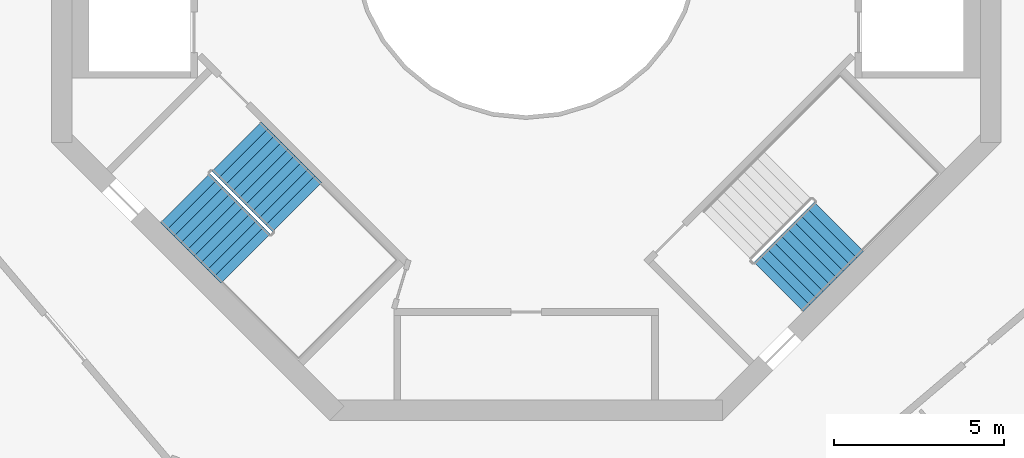
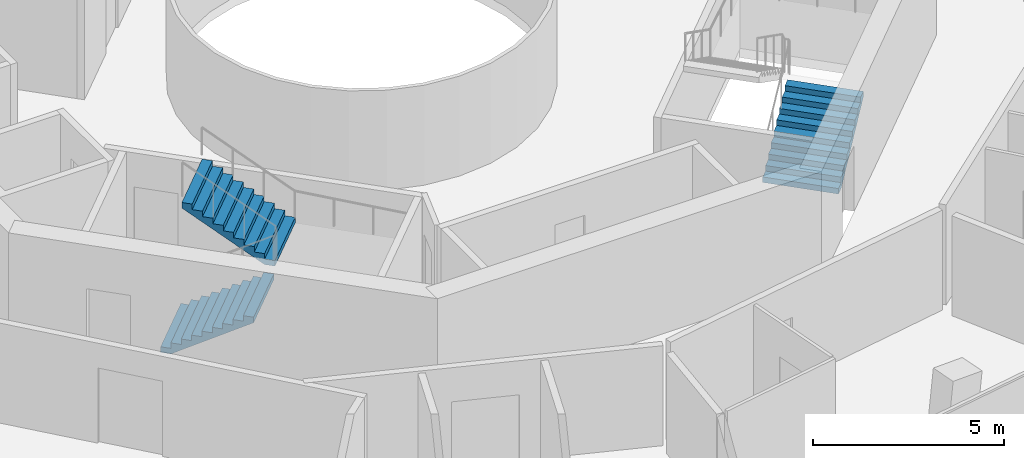
# One storey, part 19 of 21: 3 stair flights, 2 elements without a shape of their own.
"""IFC4 building model written with IfcOpenShell, lengths in metres."""

from ifc_helpers import new_model, si_unit, direction, frame, origin, place, context, subcontext, project, spatial, triangles, material, type_object, element, aggregate, save


model = new_model("IFC4")

# Units and contexts
model_context = context("Model", 3, precision=1e-05, world=origin(), true_north=direction((0.0, 1.0)))
body_context = subcontext(model_context, "Body", "Model", "MODEL_VIEW")
ifc_project = project(units=[si_unit("LENGTHUNIT", "METRE"), si_unit("AREAUNIT", "SQUARE_METRE"), si_unit("VOLUMEUNIT", "CUBIC_METRE"), si_unit("PLANEANGLEUNIT", "RADIAN"), si_unit("MASSUNIT", "GRAM", prefix="KILO")], contexts=[model_context])

# Site, building, storey
site_placement = place(None, origin())
site = spatial("IfcSite", under=ifc_project, at=site_placement, CompositionType="ELEMENT")
building_placement = place(site_placement, origin())
building = spatial("IfcBuilding", under=site, at=building_placement, Name="Verdalira Terraces Hotel", CompositionType="ELEMENT")
storey_placement = place(building_placement, frame((0.0, 0.0, 197.5)))
storey = spatial("IfcBuildingStorey", under=building, at=storey_placement, Name="L48", CompositionType="ELEMENT", Elevation=197.5)

# Stair, stair flights
ifc_material_1 = material(Name="Concrete C40", Category="concrete")
stair_type = type_object("IfcStairType", Name="Core stair 20 risers 2050 mm wide", PredefinedType="HALF_TURN_STAIR", material=ifc_material_1)
stair_1_placement = place(storey_placement, origin())
stair_1 = element("IfcStair", 1, at=stair_1_placement, inside=storey, type_object=stair_type, Name="L48 Exit stair ST2", PredefinedType="HALF_TURN_STAIR")
ifc_material_2 = material(Name="Concrete C40", Category="concrete")
stair_flight_type = type_object("IfcStairFlightType", Name="Core stair flight 20 risers 2050 mm wide", PredefinedType="STRAIGHT", material=ifc_material_2)
stair_flight_1_placement = place(storey_placement, frame((-10.058594, -7.442383, 0.0), z_axis=(0.0, 0.0, 1.0), x_axis=(0.707106781, -0.707106781, 0.0)))
stair_flight_1 = element("IfcStairFlight", 2, at=stair_flight_1_placement, type_object=stair_flight_type, Name="ST2 flight 1", NumberOfRisers=10, NumberOfTreads=9, PredefinedType="STRAIGHT", RiserHeight=0.175, TreadLength=0.28, context=body_context, shape_type="Tessellation", body=[
    triangles([(0.0, 1.025024, 0.0), (0.282715, 1.025024, 0.0), (2.52002, 1.025024, 1.398193), (0.0, -1.025024, 0.0), (0.282715, -1.025024, 0.0), (2.52002, -1.025024, 1.398193), (2.52002, 1.025024, 1.574951), (2.23999, 1.025024, 1.574951), (2.52002, -1.025024, 1.574951), (2.23999, -1.025024, 1.574951), (2.23999, 1.025024, 1.399902), (2.23999, -1.025024, 1.399902), (1.959961, 1.025024, 1.399902), (1.959961, -1.025024, 1.399902), (1.959961, 1.025024, 1.225098), (1.959961, -1.025024, 1.225098), (1.679932, 1.025024, 1.225098), (1.679932, 1.025024, 1.050049), (1.679932, -1.025024, 1.225098), (1.679932, -1.025024, 1.050049), (1.399902, 1.025024, 1.050049), (1.399902, 1.025024, 0.875), (1.399902, -1.025024, 1.050049), (1.399902, -1.025024, 0.875), (1.120117, 1.025024, 0.875), (1.120117, 1.025024, 0.699951), (1.120117, -1.025024, 0.875), (1.120117, -1.025024, 0.699951), (0.840088, 1.025024, 0.699951), (0.840088, 1.025024, 0.524902), (0.840088, -1.025024, 0.699951), (0.840088, -1.025024, 0.524902), (0.560059, 1.025024, 0.524902), (0.560059, 1.025024, 0.350098), (0.560059, -1.025024, 0.524902), (0.560059, -1.025024, 0.350098), (0.280029, 1.025024, 0.350098), (0.280029, 1.025024, 0.175049), (0.280029, -1.025024, 0.350098), (0.280029, -1.025024, 0.175049), (0.0, 1.025024, 0.175049), (0.0, -1.025024, 0.175049), (0.0, -0.96096, 0.0), (0.0, -0.96096, 0.175049), (0.0, -0.896896, 0.0), (0.0, -0.896896, 0.175049), (0.0, -0.832832, 0.0), (0.0, -0.832832, 0.175049), (0.0, -0.768768, 0.0), (0.0, -0.768768, 0.175049), (0.0, -0.704704, 0.0), (0.0, -0.704704, 0.175049), (0.0, -0.64064, 0.0), (0.0, -0.64064, 0.175049), (0.0, -0.576576, 0.0), (0.0, -0.576576, 0.175049), (0.0, -0.512512, 0.0), (0.0, -0.512512, 0.175049), (0.0, -0.448448, 0.0), (0.0, -0.448448, 0.175049), (0.0, -0.384384, 0.0), (0.0, -0.384384, 0.175049), (0.0, -0.32032, 0.0), (0.0, -0.32032, 0.175049), (0.0, -0.256256, 0.0), (0.0, -0.256256, 0.175049), (0.0, -0.192192, 0.0), (0.0, -0.192192, 0.175049), (0.0, -0.128128, 0.0), (0.0, -0.128128, 0.175049), (0.0, -0.064064, 0.0), (0.0, -0.064064, 0.175049), (0.0, 0.0, 0.0), (0.0, 0.0, 0.175049), (0.0, 0.064064, 0.0), (0.0, 0.064064, 0.175049), (0.0, 0.128128, 0.0), (0.0, 0.128128, 0.175049), (0.0, 0.192192, 0.0), (0.0, 0.192192, 0.175049), (0.0, 0.256256, 0.0), (0.0, 0.256256, 0.175049), (0.0, 0.32032, 0.0), (0.0, 0.32032, 0.175049), (0.0, 0.384384, 0.0), (0.0, 0.384384, 0.175049), (0.0, 0.448448, 0.0), (0.0, 0.448448, 0.175049), (0.0, 0.512512, 0.0), (0.0, 0.512512, 0.175049), (0.0, 0.576576, 0.0), (0.0, 0.576576, 0.175049), (0.0, 0.64064, 0.0), (0.0, 0.64064, 0.175049), (0.0, 0.704704, 0.0), (0.0, 0.704704, 0.175049), (0.0, 0.768768, 0.0), (0.0, 0.768768, 0.175049), (0.0, 0.832832, 0.0), (0.0, 0.832832, 0.175049), (0.0, 0.896896, 0.0), (0.0, 0.896896, 0.175049), (0.0, 0.96096, 0.0), (0.0, 0.96096, 0.175049), (2.52002, -0.96096, 1.574951), (2.52002, -0.896896, 1.574951), (2.52002, -0.832832, 1.574951), (2.52002, -0.768768, 1.574951), (2.52002, -0.704704, 1.574951), (2.52002, -0.64064, 1.574951), (2.52002, -0.576576, 1.574951), (2.52002, -0.512512, 1.574951), (2.52002, -0.448448, 1.574951), (2.52002, -0.384384, 1.574951), (2.52002, -0.32032, 1.574951), (2.52002, -0.256256, 1.574951), (2.52002, -0.192192, 1.574951), (2.52002, -0.128128, 1.574951), (2.52002, -0.064064, 1.574951), (2.52002, 0.0, 1.574951), (2.52002, 0.064064, 1.574951), (2.52002, 0.128128, 1.574951), (2.52002, 0.192192, 1.574951), (2.52002, 0.256256, 1.574951), (2.52002, 0.32032, 1.574951), (2.52002, 0.384384, 1.574951), (2.52002, 0.448448, 1.574951), (2.52002, 0.512512, 1.574951), (2.52002, 0.576576, 1.574951), (2.52002, 0.64064, 1.574951), (2.52002, 0.704704, 1.574951), (2.52002, 0.768768, 1.574951), (2.52002, 0.832832, 1.574951), (2.52002, 0.896896, 1.574951), (2.52002, 0.96096, 1.574951), (2.52002, -0.96096, 1.398193), (2.52002, -0.896896, 1.398193), (2.52002, -0.832832, 1.398193), (2.52002, -0.768768, 1.398193), (2.52002, -0.704704, 1.398193), (2.52002, -0.64064, 1.398193), (2.52002, -0.576576, 1.398193), (2.52002, -0.512512, 1.398193), (2.52002, -0.448448, 1.398193), (2.52002, -0.384384, 1.398193), (2.52002, -0.32032, 1.398193), (2.52002, -0.256256, 1.398193), (2.52002, -0.192192, 1.398193), (2.52002, -0.128128, 1.398193), (2.52002, -0.064064, 1.398193), (2.52002, 0.0, 1.398193), (2.52002, 0.064064, 1.398193), (2.52002, 0.128128, 1.398193), (2.52002, 0.192192, 1.398193), (2.52002, 0.256256, 1.398193), (2.52002, 0.32032, 1.398193), (2.52002, 0.384384, 1.398193), (2.52002, 0.448448, 1.398193), (2.52002, 0.512512, 1.398193), (2.52002, 0.576576, 1.398193), (2.52002, 0.64064, 1.398193), (2.52002, 0.704704, 1.398193), (2.52002, 0.768768, 1.398193), (2.52002, 0.832832, 1.398193), (2.52002, 0.896896, 1.398193), (2.52002, 0.96096, 1.398193)], [[1, 3, 2], [4, 5, 6], [3, 8, 7], [6, 9, 10], [3, 11, 8], [6, 10, 12], [3, 13, 11], [6, 12, 14], [3, 15, 13], [6, 14, 16], [15, 18, 17], [16, 19, 20], [3, 18, 15], [6, 16, 20], [18, 22, 21], [20, 23, 24], [3, 22, 18], [6, 20, 24], [22, 26, 25], [24, 27, 28], [3, 26, 22], [6, 24, 28], [26, 30, 29], [28, 31, 32], [3, 30, 26], [6, 28, 32], [1, 30, 3], [4, 6, 32], [30, 34, 33], [32, 35, 36], [34, 38, 37], [36, 39, 40], [30, 38, 34], [32, 36, 40], [1, 38, 30], [4, 32, 40], [38, 1, 41], [40, 42, 4], [4, 44, 43], [4, 42, 44], [43, 46, 45], [43, 44, 46], [45, 48, 47], [45, 46, 48], [47, 50, 49], [47, 48, 50], [49, 52, 51], [49, 50, 52], [51, 54, 53], [51, 52, 54], [53, 56, 55], [53, 54, 56], [55, 58, 57], [55, 56, 58], [57, 60, 59], [57, 58, 60], [59, 62, 61], [59, 60, 62], [61, 64, 63], [61, 62, 64], [63, 66, 65], [63, 64, 66], [65, 68, 67], [65, 66, 68], [67, 70, 69], [67, 68, 70], [69, 72, 71], [69, 70, 72], [71, 74, 73], [71, 72, 74], [73, 76, 75], [73, 74, 76], [75, 78, 77], [75, 76, 78], [77, 80, 79], [77, 78, 80], [79, 82, 81], [79, 80, 82], [81, 84, 83], [81, 82, 84], [83, 86, 85], [83, 84, 86], [85, 88, 87], [85, 86, 88], [87, 90, 89], [87, 88, 90], [89, 92, 91], [89, 90, 92], [91, 94, 93], [91, 92, 94], [93, 96, 95], [93, 94, 96], [95, 98, 97], [95, 96, 98], [97, 100, 99], [97, 98, 100], [99, 102, 101], [99, 100, 102], [101, 104, 103], [101, 102, 104], [103, 41, 1], [103, 104, 41], [42, 40, 44], [44, 40, 46], [46, 40, 48], [48, 40, 50], [50, 40, 52], [52, 40, 54], [54, 40, 56], [56, 40, 58], [58, 40, 60], [60, 40, 62], [62, 40, 64], [64, 40, 66], [66, 40, 68], [68, 40, 70], [70, 40, 72], [72, 40, 74], [74, 40, 76], [76, 40, 78], [78, 40, 80], [80, 40, 82], [82, 40, 84], [84, 40, 86], [86, 40, 88], [88, 40, 90], [90, 40, 92], [92, 40, 94], [94, 40, 96], [96, 40, 98], [98, 40, 100], [100, 40, 102], [102, 40, 104], [104, 40, 41], [41, 40, 38], [40, 37, 38], [40, 39, 37], [39, 34, 37], [39, 36, 34], [36, 33, 34], [36, 35, 33], [35, 30, 33], [35, 32, 30], [32, 29, 30], [32, 31, 29], [31, 26, 29], [31, 28, 26], [28, 25, 26], [28, 27, 25], [27, 22, 25], [27, 24, 22], [24, 21, 22], [24, 23, 21], [23, 18, 21], [23, 20, 18], [20, 17, 18], [20, 19, 17], [19, 15, 17], [19, 16, 15], [16, 13, 15], [16, 14, 13], [14, 11, 13], [14, 12, 11], [12, 8, 11], [12, 10, 8], [9, 105, 10], [105, 106, 10], [106, 107, 10], [107, 108, 10], [108, 109, 10], [109, 110, 10], [110, 111, 10], [111, 112, 10], [112, 113, 10], [113, 114, 10], [114, 115, 10], [115, 116, 10], [116, 117, 10], [117, 118, 10], [118, 119, 10], [119, 120, 10], [120, 121, 10], [121, 122, 10], [122, 123, 10], [123, 124, 10], [124, 125, 10], [125, 126, 10], [126, 127, 10], [127, 128, 10], [128, 129, 10], [129, 130, 10], [130, 131, 10], [131, 132, 10], [132, 133, 10], [133, 134, 10], [134, 135, 10], [135, 7, 10], [7, 8, 10], [9, 136, 105], [9, 6, 136], [105, 137, 106], [105, 136, 137], [106, 138, 107], [106, 137, 138], [107, 139, 108], [107, 138, 139], [108, 140, 109], [108, 139, 140], [109, 141, 110], [109, 140, 141], [110, 142, 111], [110, 141, 142], [111, 143, 112], [111, 142, 143], [112, 144, 113], [112, 143, 144], [113, 145, 114], [113, 144, 145], [114, 146, 115], [114, 145, 146], [115, 147, 116], [115, 146, 147], [116, 148, 117], [116, 147, 148], [117, 149, 118], [117, 148, 149], [118, 150, 119], [118, 149, 150], [119, 151, 120], [119, 150, 151], [120, 152, 121], [120, 151, 152], [121, 153, 122], [121, 152, 153], [122, 154, 123], [122, 153, 154], [123, 155, 124], [123, 154, 155], [124, 156, 125], [124, 155, 156], [125, 157, 126], [125, 156, 157], [126, 158, 127], [126, 157, 158], [127, 159, 128], [127, 158, 159], [128, 160, 129], [128, 159, 160], [129, 161, 130], [129, 160, 161], [130, 162, 131], [130, 161, 162], [131, 163, 132], [131, 162, 163], [132, 164, 133], [132, 163, 164], [133, 165, 134], [133, 164, 165], [134, 166, 135], [134, 165, 166], [135, 3, 7], [135, 166, 3], [6, 5, 136], [136, 5, 137], [137, 5, 138], [138, 5, 139], [139, 5, 140], [140, 5, 141], [141, 5, 142], [142, 5, 143], [143, 5, 144], [144, 5, 145], [145, 5, 146], [146, 5, 147], [147, 5, 148], [148, 5, 149], [149, 5, 150], [150, 5, 151], [151, 5, 152], [152, 5, 153], [153, 5, 154], [154, 5, 155], [155, 5, 156], [156, 5, 157], [157, 5, 158], [158, 5, 159], [159, 5, 160], [160, 5, 161], [161, 5, 162], [162, 5, 163], [163, 5, 164], [164, 5, 165], [165, 5, 166], [166, 5, 3], [3, 5, 2], [4, 43, 5], [43, 45, 5], [45, 47, 5], [47, 49, 5], [49, 51, 5], [51, 53, 5], [53, 55, 5], [55, 57, 5], [57, 59, 5], [59, 61, 5], [61, 63, 5], [63, 65, 5], [65, 67, 5], [67, 69, 5], [69, 71, 5], [71, 73, 5], [73, 75, 5], [75, 77, 5], [77, 79, 5], [79, 81, 5], [81, 83, 5], [83, 85, 5], [85, 87, 5], [87, 89, 5], [89, 91, 5], [91, 93, 5], [93, 95, 5], [95, 97, 5], [97, 99, 5], [99, 101, 5], [101, 103, 5], [103, 1, 5], [1, 2, 5]], closed=True),
])
stair_flight_2_placement = place(storey_placement, frame((-6.756348, -7.703857, 1.75), z_axis=(0.0, 0.0, 1.0), x_axis=(-0.707106781, 0.707106781, 0.0)))
stair_flight_2 = element("IfcStairFlight", 3, at=stair_flight_2_placement, type_object=stair_flight_type, Name="ST2 flight 2", NumberOfRisers=10, NumberOfTreads=9, PredefinedType="STRAIGHT", RiserHeight=0.175, TreadLength=0.28, context=body_context, shape_type="Tessellation", body=[
    triangles([(0.0, 1.025024, 0.0), (0.282715, 1.025024, 0.0), (2.52002, 1.025024, 1.398193), (0.0, -1.025024, 0.0), (0.282715, -1.025024, 0.0), (2.52002, -1.025024, 1.398193), (2.52002, 1.025024, 1.574951), (2.23999, 1.025024, 1.574951), (2.52002, -1.025024, 1.574951), (2.23999, -1.025024, 1.574951), (2.23999, 1.025024, 1.399902), (2.23999, -1.025024, 1.399902), (1.959961, 1.025024, 1.399902), (1.959961, -1.025024, 1.399902), (1.959961, 1.025024, 1.225098), (1.959961, -1.025024, 1.225098), (1.679932, 1.025024, 1.225098), (1.679932, 1.025024, 1.050049), (1.679932, -1.025024, 1.225098), (1.679932, -1.025024, 1.050049), (1.399902, 1.025024, 1.050049), (1.399902, 1.025024, 0.875), (1.399902, -1.025024, 1.050049), (1.399902, -1.025024, 0.875), (1.120117, 1.025024, 0.875), (1.120117, 1.025024, 0.699951), (1.120117, -1.025024, 0.875), (1.120117, -1.025024, 0.699951), (0.840088, 1.025024, 0.699951), (0.840088, 1.025024, 0.524902), (0.840088, -1.025024, 0.699951), (0.840088, -1.025024, 0.524902), (0.560059, 1.025024, 0.524902), (0.560059, 1.025024, 0.350098), (0.560059, -1.025024, 0.524902), (0.560059, -1.025024, 0.350098), (0.280029, 1.025024, 0.350098), (0.280029, 1.025024, 0.175049), (0.280029, -1.025024, 0.350098), (0.280029, -1.025024, 0.175049), (0.0, 1.025024, 0.175049), (0.0, -1.025024, 0.175049), (0.0, -0.96096, 0.0), (0.0, -0.96096, 0.175049), (0.0, -0.896896, 0.0), (0.0, -0.896896, 0.175049), (0.0, -0.832832, 0.0), (0.0, -0.832832, 0.175049), (0.0, -0.768768, 0.0), (0.0, -0.768768, 0.175049), (0.0, -0.704704, 0.0), (0.0, -0.704704, 0.175049), (0.0, -0.64064, 0.0), (0.0, -0.64064, 0.175049), (0.0, -0.576576, 0.0), (0.0, -0.576576, 0.175049), (0.0, -0.512512, 0.0), (0.0, -0.512512, 0.175049), (0.0, -0.448448, 0.0), (0.0, -0.448448, 0.175049), (0.0, -0.384384, 0.0), (0.0, -0.384384, 0.175049), (0.0, -0.32032, 0.0), (0.0, -0.32032, 0.175049), (0.0, -0.256256, 0.0), (0.0, -0.256256, 0.175049), (0.0, -0.192192, 0.0), (0.0, -0.192192, 0.175049), (0.0, -0.128128, 0.0), (0.0, -0.128128, 0.175049), (0.0, -0.064064, 0.0), (0.0, -0.064064, 0.175049), (0.0, 0.0, 0.0), (0.0, 0.0, 0.175049), (0.0, 0.064064, 0.0), (0.0, 0.064064, 0.175049), (0.0, 0.128128, 0.0), (0.0, 0.128128, 0.175049), (0.0, 0.192192, 0.0), (0.0, 0.192192, 0.175049), (0.0, 0.256256, 0.0), (0.0, 0.256256, 0.175049), (0.0, 0.32032, 0.0), (0.0, 0.32032, 0.175049), (0.0, 0.384384, 0.0), (0.0, 0.384384, 0.175049), (0.0, 0.448448, 0.0), (0.0, 0.448448, 0.175049), (0.0, 0.512512, 0.0), (0.0, 0.512512, 0.175049), (0.0, 0.576576, 0.0), (0.0, 0.576576, 0.175049), (0.0, 0.64064, 0.0), (0.0, 0.64064, 0.175049), (0.0, 0.704704, 0.0), (0.0, 0.704704, 0.175049), (0.0, 0.768768, 0.0), (0.0, 0.768768, 0.175049), (0.0, 0.832832, 0.0), (0.0, 0.832832, 0.175049), (0.0, 0.896896, 0.0), (0.0, 0.896896, 0.175049), (0.0, 0.96096, 0.0), (0.0, 0.96096, 0.175049), (2.52002, -0.96096, 1.574951), (2.52002, -0.896896, 1.574951), (2.52002, -0.832832, 1.574951), (2.52002, -0.768768, 1.574951), (2.52002, -0.704704, 1.574951), (2.52002, -0.64064, 1.574951), (2.52002, -0.576576, 1.574951), (2.52002, -0.512512, 1.574951), (2.52002, -0.448448, 1.574951), (2.52002, -0.384384, 1.574951), (2.52002, -0.32032, 1.574951), (2.52002, -0.256256, 1.574951), (2.52002, -0.192192, 1.574951), (2.52002, -0.128128, 1.574951), (2.52002, -0.064064, 1.574951), (2.52002, 0.0, 1.574951), (2.52002, 0.064064, 1.574951), (2.52002, 0.128128, 1.574951), (2.52002, 0.192192, 1.574951), (2.52002, 0.256256, 1.574951), (2.52002, 0.32032, 1.574951), (2.52002, 0.384384, 1.574951), (2.52002, 0.448448, 1.574951), (2.52002, 0.512512, 1.574951), (2.52002, 0.576576, 1.574951), (2.52002, 0.64064, 1.574951), (2.52002, 0.704704, 1.574951), (2.52002, 0.768768, 1.574951), (2.52002, 0.832832, 1.574951), (2.52002, 0.896896, 1.574951), (2.52002, 0.96096, 1.574951), (2.52002, -0.96096, 1.398193), (2.52002, -0.896896, 1.398193), (2.52002, -0.832832, 1.398193), (2.52002, -0.768768, 1.398193), (2.52002, -0.704704, 1.398193), (2.52002, -0.64064, 1.398193), (2.52002, -0.576576, 1.398193), (2.52002, -0.512512, 1.398193), (2.52002, -0.448448, 1.398193), (2.52002, -0.384384, 1.398193), (2.52002, -0.32032, 1.398193), (2.52002, -0.256256, 1.398193), (2.52002, -0.192192, 1.398193), (2.52002, -0.128128, 1.398193), (2.52002, -0.064064, 1.398193), (2.52002, 0.0, 1.398193), (2.52002, 0.064064, 1.398193), (2.52002, 0.128128, 1.398193), (2.52002, 0.192192, 1.398193), (2.52002, 0.256256, 1.398193), (2.52002, 0.32032, 1.398193), (2.52002, 0.384384, 1.398193), (2.52002, 0.448448, 1.398193), (2.52002, 0.512512, 1.398193), (2.52002, 0.576576, 1.398193), (2.52002, 0.64064, 1.398193), (2.52002, 0.704704, 1.398193), (2.52002, 0.768768, 1.398193), (2.52002, 0.832832, 1.398193), (2.52002, 0.896896, 1.398193), (2.52002, 0.96096, 1.398193)], [[1, 3, 2], [4, 5, 6], [3, 8, 7], [6, 9, 10], [3, 11, 8], [6, 10, 12], [3, 13, 11], [6, 12, 14], [3, 15, 13], [6, 14, 16], [15, 18, 17], [16, 19, 20], [3, 18, 15], [6, 16, 20], [18, 22, 21], [20, 23, 24], [3, 22, 18], [6, 20, 24], [22, 26, 25], [24, 27, 28], [3, 26, 22], [6, 24, 28], [26, 30, 29], [28, 31, 32], [3, 30, 26], [6, 28, 32], [1, 30, 3], [4, 6, 32], [30, 34, 33], [32, 35, 36], [34, 38, 37], [36, 39, 40], [30, 38, 34], [32, 36, 40], [1, 38, 30], [4, 32, 40], [38, 1, 41], [40, 42, 4], [4, 44, 43], [4, 42, 44], [43, 46, 45], [43, 44, 46], [45, 48, 47], [45, 46, 48], [47, 50, 49], [47, 48, 50], [49, 52, 51], [49, 50, 52], [51, 54, 53], [51, 52, 54], [53, 56, 55], [53, 54, 56], [55, 58, 57], [55, 56, 58], [57, 60, 59], [57, 58, 60], [59, 62, 61], [59, 60, 62], [61, 64, 63], [61, 62, 64], [63, 66, 65], [63, 64, 66], [65, 68, 67], [65, 66, 68], [67, 70, 69], [67, 68, 70], [69, 72, 71], [69, 70, 72], [71, 74, 73], [71, 72, 74], [73, 76, 75], [73, 74, 76], [75, 78, 77], [75, 76, 78], [77, 80, 79], [77, 78, 80], [79, 82, 81], [79, 80, 82], [81, 84, 83], [81, 82, 84], [83, 86, 85], [83, 84, 86], [85, 88, 87], [85, 86, 88], [87, 90, 89], [87, 88, 90], [89, 92, 91], [89, 90, 92], [91, 94, 93], [91, 92, 94], [93, 96, 95], [93, 94, 96], [95, 98, 97], [95, 96, 98], [97, 100, 99], [97, 98, 100], [99, 102, 101], [99, 100, 102], [101, 104, 103], [101, 102, 104], [103, 41, 1], [103, 104, 41], [42, 40, 44], [44, 40, 46], [46, 40, 48], [48, 40, 50], [50, 40, 52], [52, 40, 54], [54, 40, 56], [56, 40, 58], [58, 40, 60], [60, 40, 62], [62, 40, 64], [64, 40, 66], [66, 40, 68], [68, 40, 70], [70, 40, 72], [72, 40, 74], [74, 40, 76], [76, 40, 78], [78, 40, 80], [80, 40, 82], [82, 40, 84], [84, 40, 86], [86, 40, 88], [88, 40, 90], [90, 40, 92], [92, 40, 94], [94, 40, 96], [96, 40, 98], [98, 40, 100], [100, 40, 102], [102, 40, 104], [104, 40, 41], [41, 40, 38], [40, 37, 38], [40, 39, 37], [39, 34, 37], [39, 36, 34], [36, 33, 34], [36, 35, 33], [35, 30, 33], [35, 32, 30], [32, 29, 30], [32, 31, 29], [31, 26, 29], [31, 28, 26], [28, 25, 26], [28, 27, 25], [27, 22, 25], [27, 24, 22], [24, 21, 22], [24, 23, 21], [23, 18, 21], [23, 20, 18], [20, 17, 18], [20, 19, 17], [19, 15, 17], [19, 16, 15], [16, 13, 15], [16, 14, 13], [14, 11, 13], [14, 12, 11], [12, 8, 11], [12, 10, 8], [9, 105, 10], [105, 106, 10], [106, 107, 10], [107, 108, 10], [108, 109, 10], [109, 110, 10], [110, 111, 10], [111, 112, 10], [112, 113, 10], [113, 114, 10], [114, 115, 10], [115, 116, 10], [116, 117, 10], [117, 118, 10], [118, 119, 10], [119, 120, 10], [120, 121, 10], [121, 122, 10], [122, 123, 10], [123, 124, 10], [124, 125, 10], [125, 126, 10], [126, 127, 10], [127, 128, 10], [128, 129, 10], [129, 130, 10], [130, 131, 10], [131, 132, 10], [132, 133, 10], [133, 134, 10], [134, 135, 10], [135, 7, 10], [7, 8, 10], [9, 136, 105], [9, 6, 136], [105, 137, 106], [105, 136, 137], [106, 138, 107], [106, 137, 138], [107, 139, 108], [107, 138, 139], [108, 140, 109], [108, 139, 140], [109, 141, 110], [109, 140, 141], [110, 142, 111], [110, 141, 142], [111, 143, 112], [111, 142, 143], [112, 144, 113], [112, 143, 144], [113, 145, 114], [113, 144, 145], [114, 146, 115], [114, 145, 146], [115, 147, 116], [115, 146, 147], [116, 148, 117], [116, 147, 148], [117, 149, 118], [117, 148, 149], [118, 150, 119], [118, 149, 150], [119, 151, 120], [119, 150, 151], [120, 152, 121], [120, 151, 152], [121, 153, 122], [121, 152, 153], [122, 154, 123], [122, 153, 154], [123, 155, 124], [123, 154, 155], [124, 156, 125], [124, 155, 156], [125, 157, 126], [125, 156, 157], [126, 158, 127], [126, 157, 158], [127, 159, 128], [127, 158, 159], [128, 160, 129], [128, 159, 160], [129, 161, 130], [129, 160, 161], [130, 162, 131], [130, 161, 162], [131, 163, 132], [131, 162, 163], [132, 164, 133], [132, 163, 164], [133, 165, 134], [133, 164, 165], [134, 166, 135], [134, 165, 166], [135, 3, 7], [135, 166, 3], [6, 5, 136], [136, 5, 137], [137, 5, 138], [138, 5, 139], [139, 5, 140], [140, 5, 141], [141, 5, 142], [142, 5, 143], [143, 5, 144], [144, 5, 145], [145, 5, 146], [146, 5, 147], [147, 5, 148], [148, 5, 149], [149, 5, 150], [150, 5, 151], [151, 5, 152], [152, 5, 153], [153, 5, 154], [154, 5, 155], [155, 5, 156], [156, 5, 157], [157, 5, 158], [158, 5, 159], [159, 5, 160], [160, 5, 161], [161, 5, 162], [162, 5, 163], [163, 5, 164], [164, 5, 165], [165, 5, 166], [166, 5, 3], [3, 5, 2], [4, 43, 5], [43, 45, 5], [45, 47, 5], [47, 49, 5], [49, 51, 5], [51, 53, 5], [53, 55, 5], [55, 57, 5], [57, 59, 5], [59, 61, 5], [61, 63, 5], [63, 65, 5], [65, 67, 5], [67, 69, 5], [69, 71, 5], [71, 73, 5], [73, 75, 5], [75, 77, 5], [77, 79, 5], [79, 81, 5], [81, 83, 5], [83, 85, 5], [85, 87, 5], [87, 89, 5], [89, 91, 5], [91, 93, 5], [93, 95, 5], [95, 97, 5], [97, 99, 5], [99, 101, 5], [101, 103, 5], [103, 1, 5], [1, 2, 5]], closed=True),
])
aggregate(stair_1, [stair_flight_1, stair_flight_2])

# Stair, stair flight
stair_2_placement = place(storey_placement, origin())
stair_2 = element("IfcStair", 4, at=stair_2_placement, inside=storey, type_object=stair_type, Name="L48 Exit stair ST3", PredefinedType="HALF_TURN_STAIR")
stair_flight_3_placement = place(storey_placement, frame((7.442383, -10.058594, 0.0), z_axis=(0.0, 0.0, 1.0), x_axis=(0.707106781, 0.707106781, 0.0)))
stair_flight_3 = element("IfcStairFlight", 5, at=stair_flight_3_placement, type_object=stair_flight_type, Name="ST3 flight 1", NumberOfRisers=10, NumberOfTreads=9, PredefinedType="STRAIGHT", RiserHeight=0.175, TreadLength=0.28, context=body_context, shape_type="Tessellation", body=[
    triangles([(0.0, 1.025024, 0.0), (0.282715, 1.025024, 0.0), (2.52002, 1.025024, 1.398193), (0.0, -1.025024, 0.0), (0.282715, -1.025024, 0.0), (2.52002, -1.025024, 1.398193), (2.52002, 1.025024, 1.574951), (2.23999, 1.025024, 1.574951), (2.52002, -1.025024, 1.574951), (2.23999, -1.025024, 1.574951), (2.23999, 1.025024, 1.399902), (2.23999, -1.025024, 1.399902), (1.959961, 1.025024, 1.399902), (1.959961, -1.025024, 1.399902), (1.959961, 1.025024, 1.225098), (1.959961, -1.025024, 1.225098), (1.679932, 1.025024, 1.225098), (1.679932, 1.025024, 1.050049), (1.679932, -1.025024, 1.225098), (1.679932, -1.025024, 1.050049), (1.399902, 1.025024, 1.050049), (1.399902, 1.025024, 0.875), (1.399902, -1.025024, 1.050049), (1.399902, -1.025024, 0.875), (1.120117, 1.025024, 0.875), (1.120117, 1.025024, 0.699951), (1.120117, -1.025024, 0.875), (1.120117, -1.025024, 0.699951), (0.840088, 1.025024, 0.699951), (0.840088, 1.025024, 0.524902), (0.840088, -1.025024, 0.699951), (0.840088, -1.025024, 0.524902), (0.560059, 1.025024, 0.524902), (0.560059, 1.025024, 0.350098), (0.560059, -1.025024, 0.524902), (0.560059, -1.025024, 0.350098), (0.280029, 1.025024, 0.350098), (0.280029, 1.025024, 0.175049), (0.280029, -1.025024, 0.350098), (0.280029, -1.025024, 0.175049), (0.0, 1.025024, 0.175049), (0.0, -1.025024, 0.175049), (0.0, -0.96096, 0.0), (0.0, -0.96096, 0.175049), (0.0, -0.896896, 0.0), (0.0, -0.896896, 0.175049), (0.0, -0.832832, 0.0), (0.0, -0.832832, 0.175049), (0.0, -0.768768, 0.0), (0.0, -0.768768, 0.175049), (0.0, -0.704704, 0.0), (0.0, -0.704704, 0.175049), (0.0, -0.64064, 0.0), (0.0, -0.64064, 0.175049), (0.0, -0.576576, 0.0), (0.0, -0.576576, 0.175049), (0.0, -0.512512, 0.0), (0.0, -0.512512, 0.175049), (0.0, -0.448448, 0.0), (0.0, -0.448448, 0.175049), (0.0, -0.384384, 0.0), (0.0, -0.384384, 0.175049), (0.0, -0.32032, 0.0), (0.0, -0.32032, 0.175049), (0.0, -0.256256, 0.0), (0.0, -0.256256, 0.175049), (0.0, -0.192192, 0.0), (0.0, -0.192192, 0.175049), (0.0, -0.128128, 0.0), (0.0, -0.128128, 0.175049), (0.0, -0.064064, 0.0), (0.0, -0.064064, 0.175049), (0.0, 0.0, 0.0), (0.0, 0.0, 0.175049), (0.0, 0.064064, 0.0), (0.0, 0.064064, 0.175049), (0.0, 0.128128, 0.0), (0.0, 0.128128, 0.175049), (0.0, 0.192192, 0.0), (0.0, 0.192192, 0.175049), (0.0, 0.256256, 0.0), (0.0, 0.256256, 0.175049), (0.0, 0.32032, 0.0), (0.0, 0.32032, 0.175049), (0.0, 0.384384, 0.0), (0.0, 0.384384, 0.175049), (0.0, 0.448448, 0.0), (0.0, 0.448448, 0.175049), (0.0, 0.512512, 0.0), (0.0, 0.512512, 0.175049), (0.0, 0.576576, 0.0), (0.0, 0.576576, 0.175049), (0.0, 0.64064, 0.0), (0.0, 0.64064, 0.175049), (0.0, 0.704704, 0.0), (0.0, 0.704704, 0.175049), (0.0, 0.768768, 0.0), (0.0, 0.768768, 0.175049), (0.0, 0.832832, 0.0), (0.0, 0.832832, 0.175049), (0.0, 0.896896, 0.0), (0.0, 0.896896, 0.175049), (0.0, 0.96096, 0.0), (0.0, 0.96096, 0.175049), (2.52002, -0.96096, 1.574951), (2.52002, -0.896896, 1.574951), (2.52002, -0.832832, 1.574951), (2.52002, -0.768768, 1.574951), (2.52002, -0.704704, 1.574951), (2.52002, -0.64064, 1.574951), (2.52002, -0.576576, 1.574951), (2.52002, -0.512512, 1.574951), (2.52002, -0.448448, 1.574951), (2.52002, -0.384384, 1.574951), (2.52002, -0.32032, 1.574951), (2.52002, -0.256256, 1.574951), (2.52002, -0.192192, 1.574951), (2.52002, -0.128128, 1.574951), (2.52002, -0.064064, 1.574951), (2.52002, 0.0, 1.574951), (2.52002, 0.064064, 1.574951), (2.52002, 0.128128, 1.574951), (2.52002, 0.192192, 1.574951), (2.52002, 0.256256, 1.574951), (2.52002, 0.32032, 1.574951), (2.52002, 0.384384, 1.574951), (2.52002, 0.448448, 1.574951), (2.52002, 0.512512, 1.574951), (2.52002, 0.576576, 1.574951), (2.52002, 0.64064, 1.574951), (2.52002, 0.704704, 1.574951), (2.52002, 0.768768, 1.574951), (2.52002, 0.832832, 1.574951), (2.52002, 0.896896, 1.574951), (2.52002, 0.96096, 1.574951), (2.52002, -0.96096, 1.398193), (2.52002, -0.896896, 1.398193), (2.52002, -0.832832, 1.398193), (2.52002, -0.768768, 1.398193), (2.52002, -0.704704, 1.398193), (2.52002, -0.64064, 1.398193), (2.52002, -0.576576, 1.398193), (2.52002, -0.512512, 1.398193), (2.52002, -0.448448, 1.398193), (2.52002, -0.384384, 1.398193), (2.52002, -0.32032, 1.398193), (2.52002, -0.256256, 1.398193), (2.52002, -0.192192, 1.398193), (2.52002, -0.128128, 1.398193), (2.52002, -0.064064, 1.398193), (2.52002, 0.0, 1.398193), (2.52002, 0.064064, 1.398193), (2.52002, 0.128128, 1.398193), (2.52002, 0.192192, 1.398193), (2.52002, 0.256256, 1.398193), (2.52002, 0.32032, 1.398193), (2.52002, 0.384384, 1.398193), (2.52002, 0.448448, 1.398193), (2.52002, 0.512512, 1.398193), (2.52002, 0.576576, 1.398193), (2.52002, 0.64064, 1.398193), (2.52002, 0.704704, 1.398193), (2.52002, 0.768768, 1.398193), (2.52002, 0.832832, 1.398193), (2.52002, 0.896896, 1.398193), (2.52002, 0.96096, 1.398193)], [[1, 3, 2], [4, 5, 6], [3, 8, 7], [6, 9, 10], [3, 11, 8], [6, 10, 12], [3, 13, 11], [6, 12, 14], [3, 15, 13], [6, 14, 16], [15, 18, 17], [16, 19, 20], [3, 18, 15], [6, 16, 20], [18, 22, 21], [20, 23, 24], [3, 22, 18], [6, 20, 24], [22, 26, 25], [24, 27, 28], [3, 26, 22], [6, 24, 28], [26, 30, 29], [28, 31, 32], [3, 30, 26], [6, 28, 32], [1, 30, 3], [4, 6, 32], [30, 34, 33], [32, 35, 36], [34, 38, 37], [36, 39, 40], [30, 38, 34], [32, 36, 40], [1, 38, 30], [4, 32, 40], [38, 1, 41], [40, 42, 4], [4, 44, 43], [4, 42, 44], [43, 46, 45], [43, 44, 46], [45, 48, 47], [45, 46, 48], [47, 50, 49], [47, 48, 50], [49, 52, 51], [49, 50, 52], [51, 54, 53], [51, 52, 54], [53, 56, 55], [53, 54, 56], [55, 58, 57], [55, 56, 58], [57, 60, 59], [57, 58, 60], [59, 62, 61], [59, 60, 62], [61, 64, 63], [61, 62, 64], [63, 66, 65], [63, 64, 66], [65, 68, 67], [65, 66, 68], [67, 70, 69], [67, 68, 70], [69, 72, 71], [69, 70, 72], [71, 74, 73], [71, 72, 74], [73, 76, 75], [73, 74, 76], [75, 78, 77], [75, 76, 78], [77, 80, 79], [77, 78, 80], [79, 82, 81], [79, 80, 82], [81, 84, 83], [81, 82, 84], [83, 86, 85], [83, 84, 86], [85, 88, 87], [85, 86, 88], [87, 90, 89], [87, 88, 90], [89, 92, 91], [89, 90, 92], [91, 94, 93], [91, 92, 94], [93, 96, 95], [93, 94, 96], [95, 98, 97], [95, 96, 98], [97, 100, 99], [97, 98, 100], [99, 102, 101], [99, 100, 102], [101, 104, 103], [101, 102, 104], [103, 41, 1], [103, 104, 41], [42, 40, 44], [44, 40, 46], [46, 40, 48], [48, 40, 50], [50, 40, 52], [52, 40, 54], [54, 40, 56], [56, 40, 58], [58, 40, 60], [60, 40, 62], [62, 40, 64], [64, 40, 66], [66, 40, 68], [68, 40, 70], [70, 40, 72], [72, 40, 74], [74, 40, 76], [76, 40, 78], [78, 40, 80], [80, 40, 82], [82, 40, 84], [84, 40, 86], [86, 40, 88], [88, 40, 90], [90, 40, 92], [92, 40, 94], [94, 40, 96], [96, 40, 98], [98, 40, 100], [100, 40, 102], [102, 40, 104], [104, 40, 41], [41, 40, 38], [40, 37, 38], [40, 39, 37], [39, 34, 37], [39, 36, 34], [36, 33, 34], [36, 35, 33], [35, 30, 33], [35, 32, 30], [32, 29, 30], [32, 31, 29], [31, 26, 29], [31, 28, 26], [28, 25, 26], [28, 27, 25], [27, 22, 25], [27, 24, 22], [24, 21, 22], [24, 23, 21], [23, 18, 21], [23, 20, 18], [20, 17, 18], [20, 19, 17], [19, 15, 17], [19, 16, 15], [16, 13, 15], [16, 14, 13], [14, 11, 13], [14, 12, 11], [12, 8, 11], [12, 10, 8], [9, 105, 10], [105, 106, 10], [106, 107, 10], [107, 108, 10], [108, 109, 10], [109, 110, 10], [110, 111, 10], [111, 112, 10], [112, 113, 10], [113, 114, 10], [114, 115, 10], [115, 116, 10], [116, 117, 10], [117, 118, 10], [118, 119, 10], [119, 120, 10], [120, 121, 10], [121, 122, 10], [122, 123, 10], [123, 124, 10], [124, 125, 10], [125, 126, 10], [126, 127, 10], [127, 128, 10], [128, 129, 10], [129, 130, 10], [130, 131, 10], [131, 132, 10], [132, 133, 10], [133, 134, 10], [134, 135, 10], [135, 7, 10], [7, 8, 10], [9, 136, 105], [9, 6, 136], [105, 137, 106], [105, 136, 137], [106, 138, 107], [106, 137, 138], [107, 139, 108], [107, 138, 139], [108, 140, 109], [108, 139, 140], [109, 141, 110], [109, 140, 141], [110, 142, 111], [110, 141, 142], [111, 143, 112], [111, 142, 143], [112, 144, 113], [112, 143, 144], [113, 145, 114], [113, 144, 145], [114, 146, 115], [114, 145, 146], [115, 147, 116], [115, 146, 147], [116, 148, 117], [116, 147, 148], [117, 149, 118], [117, 148, 149], [118, 150, 119], [118, 149, 150], [119, 151, 120], [119, 150, 151], [120, 152, 121], [120, 151, 152], [121, 153, 122], [121, 152, 153], [122, 154, 123], [122, 153, 154], [123, 155, 124], [123, 154, 155], [124, 156, 125], [124, 155, 156], [125, 157, 126], [125, 156, 157], [126, 158, 127], [126, 157, 158], [127, 159, 128], [127, 158, 159], [128, 160, 129], [128, 159, 160], [129, 161, 130], [129, 160, 161], [130, 162, 131], [130, 161, 162], [131, 163, 132], [131, 162, 163], [132, 164, 133], [132, 163, 164], [133, 165, 134], [133, 164, 165], [134, 166, 135], [134, 165, 166], [135, 3, 7], [135, 166, 3], [6, 5, 136], [136, 5, 137], [137, 5, 138], [138, 5, 139], [139, 5, 140], [140, 5, 141], [141, 5, 142], [142, 5, 143], [143, 5, 144], [144, 5, 145], [145, 5, 146], [146, 5, 147], [147, 5, 148], [148, 5, 149], [149, 5, 150], [150, 5, 151], [151, 5, 152], [152, 5, 153], [153, 5, 154], [154, 5, 155], [155, 5, 156], [156, 5, 157], [157, 5, 158], [158, 5, 159], [159, 5, 160], [160, 5, 161], [161, 5, 162], [162, 5, 163], [163, 5, 164], [164, 5, 165], [165, 5, 166], [166, 5, 3], [3, 5, 2], [4, 43, 5], [43, 45, 5], [45, 47, 5], [47, 49, 5], [49, 51, 5], [51, 53, 5], [53, 55, 5], [55, 57, 5], [57, 59, 5], [59, 61, 5], [61, 63, 5], [63, 65, 5], [65, 67, 5], [67, 69, 5], [69, 71, 5], [71, 73, 5], [73, 75, 5], [75, 77, 5], [77, 79, 5], [79, 81, 5], [81, 83, 5], [83, 85, 5], [85, 87, 5], [87, 89, 5], [89, 91, 5], [91, 93, 5], [93, 95, 5], [95, 97, 5], [97, 99, 5], [99, 101, 5], [101, 103, 5], [103, 1, 5], [1, 2, 5]], closed=True),
])
aggregate(stair_2, [stair_flight_3])

save(model, "model.ifc")
